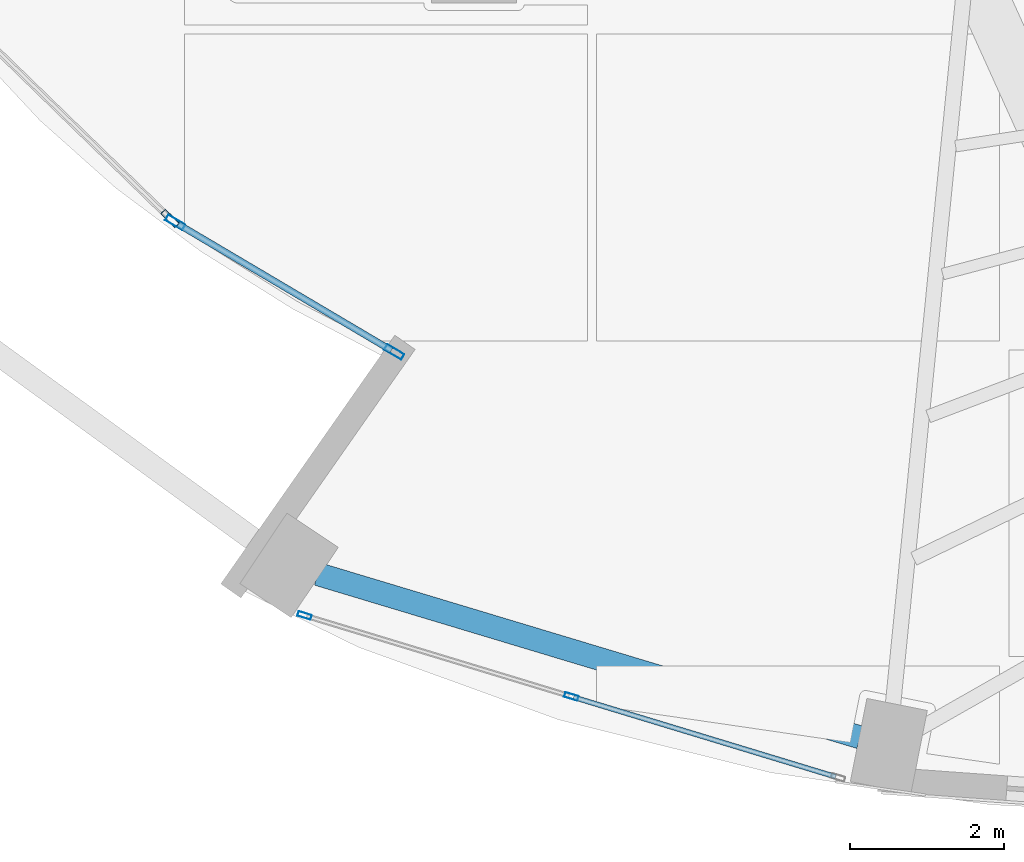
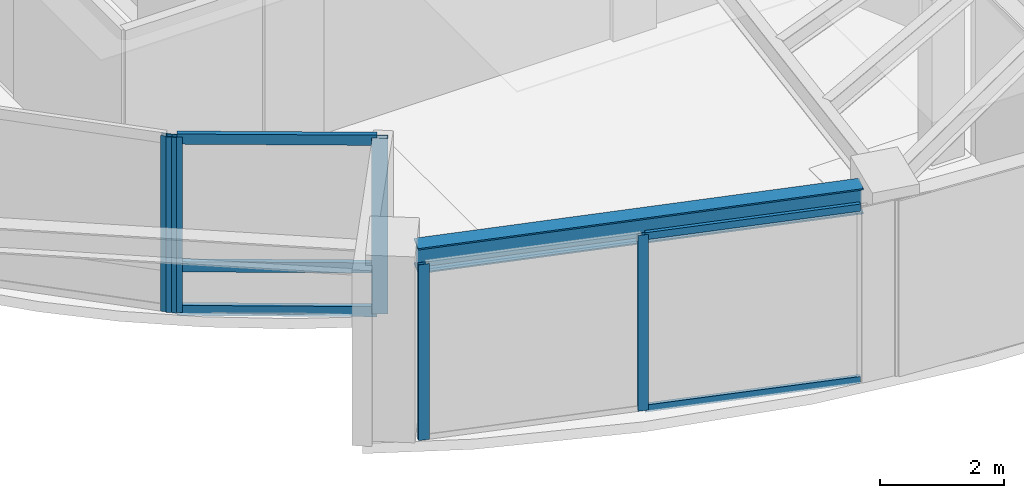
# One storey, part 2 of 21: 10 members, 1 beam, 3 elements without a shape of their own.
"""IFC4 building model written with IfcOpenShell, lengths in metres."""

from ifc_helpers import new_model, si_unit, direction, frame, origin, origin_2d, place, context, subcontext, project, spatial, hollow_rectangle, i_section, extrude, material, layer, layer_set, material_profile, profile_set, type_object, element, aggregate, save


model = new_model("IFC4")

# Units and contexts
model_context = context("Model", 3, precision=1e-05, world=origin(), true_north=direction((0.0, 1.0)))
body_context = subcontext(model_context, "Body", "Model", "MODEL_VIEW")
ifc_project = project(units=[si_unit("LENGTHUNIT", "METRE"), si_unit("AREAUNIT", "SQUARE_METRE"), si_unit("VOLUMEUNIT", "CUBIC_METRE"), si_unit("PLANEANGLEUNIT", "RADIAN"), si_unit("MASSUNIT", "GRAM", prefix="KILO")], contexts=[model_context])

# Site, building, storey
site_placement = place(None, origin())
site = spatial("IfcSite", under=ifc_project, at=site_placement, CompositionType="ELEMENT")
building_placement = place(site_placement, origin())
building = spatial("IfcBuilding", under=site, at=building_placement, Name="Lazwardi Medical Tower", CompositionType="ELEMENT")
storey_placement = place(building_placement, frame((0.0, 0.0, 220.367919921875)))
storey = spatial("IfcBuildingStorey", under=building, at=storey_placement, Name="L57", CompositionType="ELEMENT", Elevation=220.367919921875)

# Beam
ifc_material_1 = material(Name="Steel S355", Category="steel")
ifc_material_profile_1 = material_profile(ifc_material_1, i_section(OverallWidth=0.300048828125, OverallDepth=0.5, WebThickness=0.014404296875, FlangeThickness=0.028076171875, at=origin_2d()), Name="HEB 500")
ifc_profile_set_1 = profile_set([ifc_material_profile_1], Name="Steel S355")
beam_type = type_object("IfcBeamType", Name="BM-RB-Z4", PredefinedType="BEAM", material=ifc_profile_set_1)
beam_placement = place(storey_placement, frame((24.373046875, 12.43359375, 3.197998046875), z_axis=(0.957544311906, -0.288286126506, 0.0), x_axis=(0.288286126506, 0.957544311906, 0.0)))
element("IfcBeam", 1, at=beam_placement, inside=storey, type_object=beam_type, Name="Ring beam RB-05 B15 L57", PredefinedType="BEAM", context=body_context, shape_type="SweptSolid", body=[
    extrude(i_section(OverallWidth=0.300048828125, OverallDepth=0.5, WebThickness=0.014404296875, FlangeThickness=0.028076171875, at=origin_2d()), origin(), (0.0, 0.0, 1.0), 7.3515625),
])

# Curtain wall, members
ifc_material_2 = material(Name="Anodised bronze aluminium and solar control glazing", Category="aluminium")
ifc_layer_1 = layer(ifc_material_2, 0.239990234375)
ifc_layer_set_1 = layer_set([ifc_layer_1], Name="Anodised bronze aluminium and solar control glazing")
curtain_wall_type_1 = type_object("IfcCurtainWallType", Name="CW-SYS-05", PredefinedType="NOTDEFINED", material=ifc_layer_set_1)
curtain_wall_1_placement = place(storey_placement, origin())
curtain_wall_1 = element("IfcCurtainWall", 2, at=curtain_wall_1_placement, inside=storey, type_object=curtain_wall_type_1, Name="L57 Unitised bronze curtain wall CW-05", PredefinedType="NOTDEFINED")
ifc_material_3 = material(Name="Anodised bronze aluminium", Category="aluminium")
ifc_material_profile_2 = material_profile(ifc_material_3, hollow_rectangle(XDim=0.0849609375, YDim=0.260009765625, WallThickness=0.0048828125, at=origin_2d()), Name="ALU-MULLION 260x85x5")
ifc_profile_set_2 = profile_set([ifc_material_profile_2], Name="Anodised bronze aluminium")
member_type_1 = type_object("IfcMemberType", Name="CW-MUL-02", PredefinedType="MULLION", material=ifc_profile_set_2)
member_1_placement = place(storey_placement, frame((22.521240234375, 16.998779296875, 0.0), z_axis=(0.0, 0.0, 1.0), x_axis=(0.509273159137, 0.860604932232, 0.0)))
member_1 = element("IfcMember", 3, at=member_1_placement, type_object=member_type_1, Name="CW-05 mullion 1", PredefinedType="MULLION", context=body_context, shape_type="SweptSolid", body=[
    extrude(hollow_rectangle(XDim=0.0849609375, YDim=0.260009765625, WallThickness=0.0048828125, at=origin_2d()), origin(), (0.0, 0.0, 1.0), 3.447998046875),
])
member_2_placement = place(storey_placement, frame((25.36376953125, 15.316650390625, 0.0), z_axis=(0.0, 0.0, 1.0), x_axis=(0.509273159137, 0.860604932232, 0.0)))
member_2 = element("IfcMember", 4, at=member_2_placement, type_object=member_type_1, Name="CW-05 mullion 2", PredefinedType="MULLION", context=body_context, shape_type="SweptSolid", body=[
    extrude(hollow_rectangle(XDim=0.0849609375, YDim=0.260009765625, WallThickness=0.0048828125, at=origin_2d()), origin(), (0.0, 0.0, 1.0), 3.447998046875),
])

# Curtain wall, member
curtain_wall_2_placement = place(storey_placement, origin())
curtain_wall_2 = element("IfcCurtainWall", 5, at=curtain_wall_2_placement, inside=storey, type_object=curtain_wall_type_1, Name="L57 Unitised bronze curtain wall CW-05", PredefinedType="NOTDEFINED")
member_3_placement = place(storey_placement, frame((22.4541015625, 17.050048828125, 0.0), z_axis=(0.0, 0.0, 1.0), x_axis=(0.697060347158, 0.717012463225, 0.0)))
member_3 = element("IfcMember", 6, at=member_3_placement, type_object=member_type_1, Name="CW-05 mullion 2", PredefinedType="MULLION", context=body_context, shape_type="SweptSolid", body=[
    extrude(hollow_rectangle(XDim=0.0849609375, YDim=0.260009765625, WallThickness=0.0048828125, at=origin_2d()), origin(), (0.0, 0.0, 1.0), 3.447998046875),
])
aggregate(curtain_wall_2, [member_3])

# Curtain wall, members
ifc_layer_2 = layer(ifc_material_2, 0.18994140625)
ifc_layer_set_2 = layer_set([ifc_layer_2], Name="Anodised bronze aluminium and solar control glazing")
curtain_wall_type_2 = type_object("IfcCurtainWallType", Name="CW-SYS-04", PredefinedType="NOTDEFINED", material=ifc_layer_set_2)
curtain_wall_3_placement = place(storey_placement, origin())
curtain_wall_3 = element("IfcCurtainWall", 7, at=curtain_wall_3_placement, inside=storey, type_object=curtain_wall_type_2, Name="L57 Unitised bronze curtain wall CW-04", PredefinedType="NOTDEFINED")
ifc_material_profile_3 = material_profile(ifc_material_3, hollow_rectangle(XDim=0.06494140625, YDim=0.179931640625, WallThickness=0.00390625, at=origin_2d()), Name="ALU-MULLION 180x65x4")
ifc_profile_set_3 = profile_set([ifc_material_profile_3], Name="Anodised bronze aluminium")
member_type_2 = type_object("IfcMemberType", Name="CW-MUL-03", PredefinedType="MULLION", material=ifc_profile_set_3)
member_4_placement = place(storey_placement, frame((24.2001953125, 11.896484375, 0.0), z_axis=(0.0, 0.0, 1.0), x_axis=(0.290581889515, 0.956850126972, 0.0)))
member_4 = element("IfcMember", 8, at=member_4_placement, type_object=member_type_2, Name="CW-04 mullion 1", PredefinedType="MULLION", context=body_context, shape_type="SweptSolid", body=[
    extrude(hollow_rectangle(XDim=0.06494140625, YDim=0.179931640625, WallThickness=0.00390625, at=origin_2d()), origin(), (0.0, 0.0, 1.0), 3.447998046875),
])
member_5_placement = place(storey_placement, frame((27.66357421875, 10.8447265625, 0.0), z_axis=(0.0, 0.0, 1.0), x_axis=(0.290581889515, 0.956850126972, 0.0)))
member_5 = element("IfcMember", 9, at=member_5_placement, type_object=member_type_2, Name="CW-04 mullion 2", PredefinedType="MULLION", context=body_context, shape_type="SweptSolid", body=[
    extrude(hollow_rectangle(XDim=0.06494140625, YDim=0.179931640625, WallThickness=0.00390625, at=origin_2d()), origin(), (0.0, 0.0, 1.0), 3.447998046875),
])

# Member
ifc_material_profile_4 = material_profile(ifc_material_3, hollow_rectangle(XDim=0.0849609375, YDim=0.199951171875, WallThickness=0.00439453125, at=origin_2d()), Name="ALU-TRANSOM 200x85x4.5")
ifc_profile_set_4 = profile_set([ifc_material_profile_4], Name="Anodised bronze aluminium")
member_type_3 = type_object("IfcMemberType", Name="CW-TRN-02", PredefinedType="USERDEFINED", material=ifc_profile_set_4)
member_6_placement = place(storey_placement, frame((22.557861328125, 16.977294921875, 0.04248046875), z_axis=(0.860583469313, -0.509309426915, 0.0), x_axis=(0.509309426915, 0.860583469313, 0.0)))
member_6 = element("IfcMember", 10, at=member_6_placement, type_object=member_type_3, Name="CW-05 transom 1.1", ObjectType="TRANSOM", PredefinedType="USERDEFINED", context=body_context, shape_type="SweptSolid", body=[
    extrude(hollow_rectangle(XDim=0.0849609375, YDim=0.199951171875, WallThickness=0.00439453125, at=origin_2d()), origin(), (0.0, 0.0, 1.0), 3.218017578125),
])

member_7_placement = place(storey_placement, frame((22.557861328125, 16.977294921875, 0.900146484375), z_axis=(0.860583469313, -0.509309426915, 0.0), x_axis=(0.509309426915, 0.860583469313, 0.0)))
member_7 = element("IfcMember", 11, at=member_7_placement, type_object=member_type_3, Name="CW-05 transom 1.2", ObjectType="TRANSOM", PredefinedType="USERDEFINED", context=body_context, shape_type="SweptSolid", body=[
    extrude(hollow_rectangle(XDim=0.0849609375, YDim=0.199951171875, WallThickness=0.00439453125, at=origin_2d()), origin(), (0.0, 0.0, 1.0), 3.218017578125),
])

member_8_placement = place(storey_placement, frame((22.557861328125, 16.977294921875, 3.405517578125), z_axis=(0.860583469313, -0.509309426915, 0.0), x_axis=(0.509309426915, 0.860583469313, 0.0)))
member_8 = element("IfcMember", 12, at=member_8_placement, type_object=member_type_3, Name="CW-05 transom 1.3", ObjectType="TRANSOM", PredefinedType="USERDEFINED", context=body_context, shape_type="SweptSolid", body=[
    extrude(hollow_rectangle(XDim=0.0849609375, YDim=0.199951171875, WallThickness=0.00439453125, at=origin_2d()), origin(), (0.0, 0.0, 1.0), 3.218017578125),
])

aggregate(curtain_wall_1, [member_1, member_2, member_6, member_7, member_8])

ifc_material_profile_5 = material_profile(ifc_material_3, hollow_rectangle(XDim=0.06494140625, YDim=0.139892578125, WallThickness=0.00341796875, at=origin_2d()), Name="ALU-TRANSOM 140x65x3.5")
ifc_profile_set_5 = profile_set([ifc_material_profile_5], Name="Anodised bronze aluminium")
member_type_4 = type_object("IfcMemberType", Name="CW-TRN-03", PredefinedType="USERDEFINED", material=ifc_profile_set_5)
member_9_placement = place(storey_placement, frame((27.694580078125, 10.835205078125, 0.032470703125), z_axis=(0.956862505902, -0.290541124109, 0.0), x_axis=(0.290541124109, 0.956862505902, 0.0)))
member_9 = element("IfcMember", 13, at=member_9_placement, type_object=member_type_4, Name="CW-04 transom 2.1", ObjectType="TRANSOM", PredefinedType="USERDEFINED", context=body_context, shape_type="SweptSolid", body=[
    extrude(hollow_rectangle(XDim=0.06494140625, YDim=0.139892578125, WallThickness=0.00341796875, at=origin_2d()), origin(), (0.0, 0.0, 1.0), 3.554443359375),
])

member_10_placement = place(storey_placement, frame((27.694580078125, 10.835205078125, 3.41552734375), z_axis=(0.956862505902, -0.290541124109, 0.0), x_axis=(0.290541124109, 0.956862505902, 0.0)))
member_10 = element("IfcMember", 14, at=member_10_placement, type_object=member_type_4, Name="CW-04 transom 2.2", ObjectType="TRANSOM", PredefinedType="USERDEFINED", context=body_context, shape_type="SweptSolid", body=[
    extrude(hollow_rectangle(XDim=0.06494140625, YDim=0.139892578125, WallThickness=0.00341796875, at=origin_2d()), origin(), (0.0, 0.0, 1.0), 3.554443359375),
])

aggregate(curtain_wall_3, [member_4, member_5, member_9, member_10])

save(model, "model.ifc")
